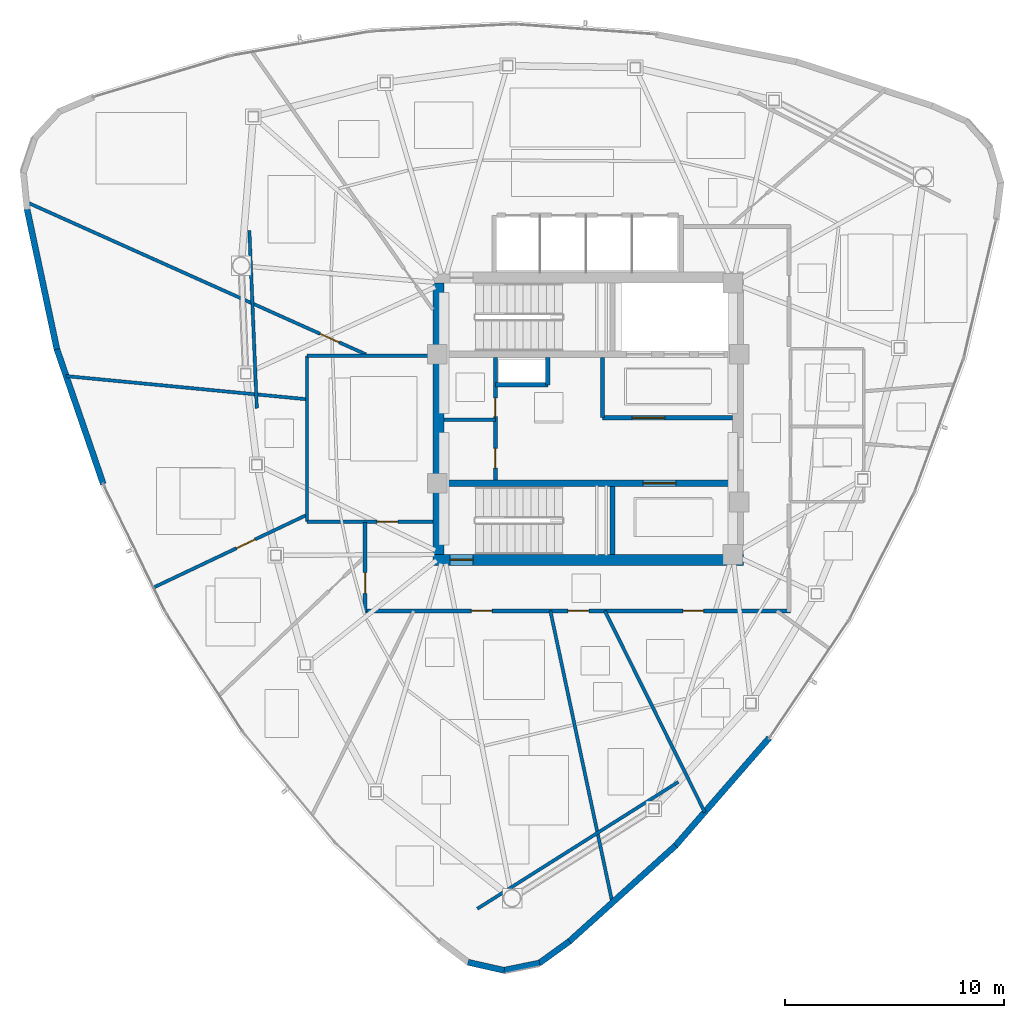
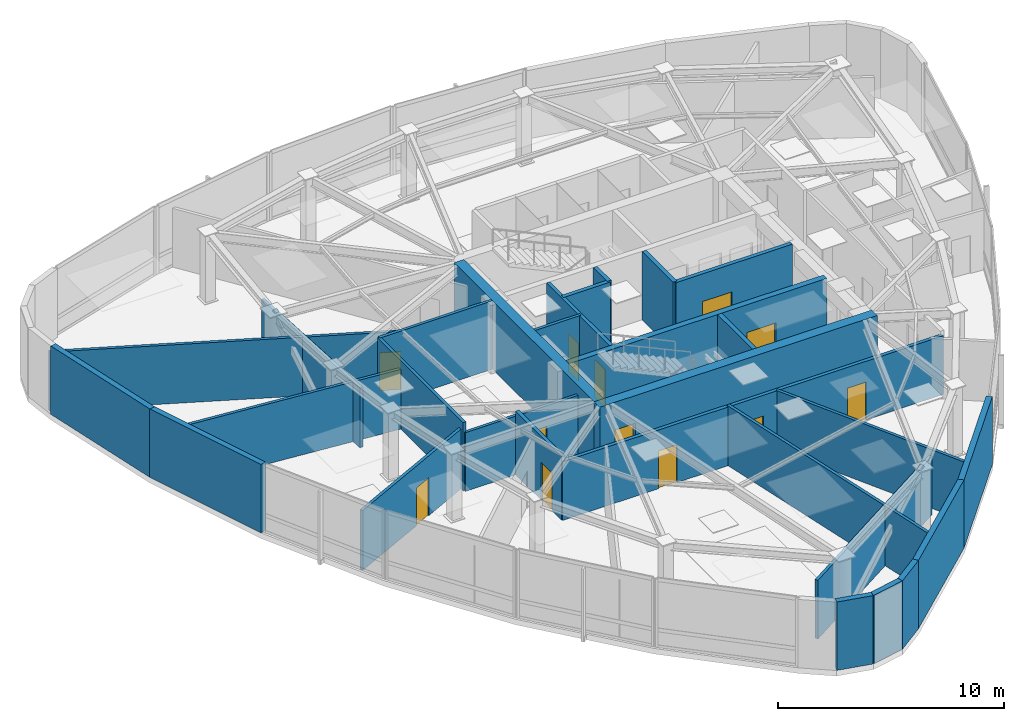
# One storey, part 8 of 12: 29 walls, 12 doors, 12 openings.
"""IFC4 building model written with IfcOpenShell, lengths in metres."""

from ifc_helpers import new_model, si_unit, direction, frame, frame_2d, origin, place, context, subcontext, project, spatial, rectangle, extrude, material, layer, layer_set, type_object, element, fill, save


model = new_model("IFC4")

# Units and contexts
model_context = context("Model", 3, precision=1e-05, world=origin(), true_north=direction((0.0, 1.0)))
body_context = subcontext(model_context, "Body", "Model", "MODEL_VIEW")
ifc_project = project(units=[si_unit("LENGTHUNIT", "METRE"), si_unit("AREAUNIT", "SQUARE_METRE"), si_unit("VOLUMEUNIT", "CUBIC_METRE"), si_unit("PLANEANGLEUNIT", "RADIAN"), si_unit("MASSUNIT", "GRAM", prefix="KILO")], contexts=[model_context])

# Site, building, storey
site_placement = place(None, origin())
site = spatial("IfcSite", under=ifc_project, at=site_placement, CompositionType="ELEMENT")
building_placement = place(site_placement, origin())
building = spatial("IfcBuilding", under=site, at=building_placement, Name="Tavelor Broadcast Tower", CompositionType="ELEMENT")
storey_placement = place(building_placement, frame((0.0, 0.0, 293.5)))
storey = spatial("IfcBuildingStorey", under=building, at=storey_placement, Name="L70", CompositionType="ELEMENT", Elevation=293.5)

# Wall, opening, door
ifc_material_1 = material(Name="Concrete C50/60", Category="concrete")
ifc_layer_1 = layer(ifc_material_1, 0.5)
ifc_layer_set_1 = layer_set([ifc_layer_1], Name="Concrete C50/60")
wall_type_1 = type_object("IfcWallType", Name="Core Shear Wall 500 mm", PredefinedType="SHEAR", material=ifc_layer_set_1)
wall_1_placement = place(storey_placement, frame((42.89990234375, 38.550048828125, 0.0), z_axis=(0.0, 0.0, 1.0), x_axis=(1.0, 0.0, 0.0)))
wall_1 = element("IfcWall", 1, at=wall_1_placement, inside=storey, type_object=wall_type_1, Name="L70 Central Core Shear Wall S", PredefinedType="SHEAR", context=body_context, shape_type="SweptSolid", body=[
    extrude(rectangle(XDim=14.2001953125, YDim=0.5, at=frame_2d((7.10009765625, 0.0))), origin(), (0.0, 0.0, 1.0), 3.699951171875),
])
opening_1_placement = place(wall_1_placement, frame((0.780029296875, 0.0, 0.0)))
opening_1 = element("IfcOpeningElement", 2, at=opening_1_placement, cuts=wall_1, Name="Opening DR11", PredefinedType="OPENING", context=body_context, shape_type="SweptSolid", body=[
    extrude(rectangle(XDim=1.050048828125, YDim=2.199951171875, at=frame_2d((0.52490234375, 1.10009765625))), frame((0.0, 0.260009765625, 0.0), z_axis=(0.0, -1.0, 0.0), x_axis=(1.0, 0.0, 0.0)), (0.0, 0.0, 1.0), 0.52001953125),
])
ifc_material_2 = material(Name="Steel S355", Category="steel")
door_type_1 = type_object("IfcDoorType", Name="Stair Core Fire Escape Door 1050x2200", OperationType="NOTDEFINED", PredefinedType="DOOR", material=ifc_material_2)
door_1_placement = place(opening_1_placement, origin())
door_1 = element("IfcDoor", 3, at=door_1_placement, inside=storey, type_object=door_type_1, Name="L70 Stair ST2 Protected Exit Door", OperationType="SINGLE_SWING_RIGHT", OverallHeight=2.199951171875, OverallWidth=1.050048828125, PredefinedType="DOOR", context=body_context, shape_type="SweptSolid", body=[
    extrude(rectangle(XDim=1.050048828125, YDim=2.199951171875, at=frame_2d((0.52490234375, 1.10009765625))), frame((0.0, 0.02490234375, 0.0), z_axis=(0.0, -1.0, 0.0), x_axis=(1.0, 0.0, 0.0)), (0.0, 0.0, 1.0), 0.050048828125),
])
fill(opening_1, door_1)

# Wall
wall_2_placement = place(storey_placement, frame((43.14990234375, 38.800048828125, 0.0), z_axis=(0.0, 0.0, 1.0), x_axis=(0.0, 1.0, 0.0)))
element("IfcWall", 4, at=wall_2_placement, inside=storey, type_object=wall_type_1, Name="L70 Central Core Shear Wall W", PredefinedType="SHEAR", context=body_context, shape_type="SweptSolid", body=[
    extrude(rectangle(XDim=12.39990234375, YDim=0.5, at=frame_2d((6.199951171875, 0.0))), origin(), (0.0, 0.0, 1.0), 3.699951171875),
])

# Wall, opening, door
ifc_layer_2 = layer(ifc_material_1, 0.300048828125)
ifc_layer_set_2 = layer_set([ifc_layer_2], Name="Concrete C50/60")
wall_type_2 = type_object("IfcWallType", Name="Core Spine Shear Wall 300 mm C50", PredefinedType="SHEAR", material=ifc_layer_set_2)
wall_3_placement = place(storey_placement, frame((43.39990234375, 42.050048828125, 0.0), z_axis=(0.0, 0.0, 1.0), x_axis=(1.0, 0.0, 0.0)))
wall_3 = element("IfcWall", 5, at=wall_3_placement, inside=storey, type_object=wall_type_2, Name="L70 Central Core Shear Wall SP2", PredefinedType="SHEAR", context=body_context, shape_type="SweptSolid", body=[
    extrude(rectangle(XDim=13.2001953125, YDim=0.300048828125, at=frame_2d((6.60009765625, 0.0))), origin(), (0.0, 0.0, 1.0), 3.699951171875),
])
opening_2_placement = place(wall_3_placement, frame((9.10009765625, 0.0, 0.0)))
opening_2 = element("IfcOpeningElement", 6, at=opening_2_placement, cuts=wall_3, Name="Opening DR14", PredefinedType="OPENING", context=body_context, shape_type="SweptSolid", body=[
    extrude(rectangle(XDim=1.5, YDim=2.199951171875, at=frame_2d((0.75, 1.10009765625))), frame((0.0, 0.16015625, 0.0), z_axis=(0.0, -1.0, 0.0), x_axis=(1.0, 0.0, 0.0)), (0.0, 0.0, 1.0), 0.320068359375),
])
door_type_2 = type_object("IfcDoorType", Name="Firefighting Lobby Double Fire Door 1500x2200", OperationType="NOTDEFINED", PredefinedType="DOOR", material=ifc_material_2)
door_2_placement = place(opening_2_placement, origin())
door_2 = element("IfcDoor", 7, at=door_2_placement, inside=storey, type_object=door_type_2, Name="L70 Reclaimed South Core Vestibule Door", OperationType="SINGLE_SWING_RIGHT", OverallHeight=2.199951171875, OverallWidth=1.5, PredefinedType="DOOR", context=body_context, shape_type="SweptSolid", body=[
    extrude(rectangle(XDim=1.5, YDim=2.199951171875, at=frame_2d((0.75, 1.10009765625))), frame((0.0, 0.02490234375, 0.0), z_axis=(0.0, -1.0, 0.0), x_axis=(1.0, 0.0, 0.0)), (0.0, 0.0, 1.0), 0.050048828125),
])
fill(opening_2, door_2)

# Wall, openings, doors
ifc_material_3 = material(Name="Calcium Silicate Fire Board 180 mm", Category="gypsum")
ifc_layer_3 = layer(ifc_material_3, 0.179931640625)
ifc_layer_set_3 = layer_set([ifc_layer_3], Name="Calcium Silicate Fire Board 180 mm")
wall_type_3 = type_object("IfcWallType", Name="Fire-Rated Corridor Partition Wall 180 mm", PredefinedType="PARTITIONING", material=ifc_layer_set_3)
wall_4_placement = place(storey_placement, frame((45.75, 42.199951171875, 0.0), z_axis=(0.0, 0.0, 1.0), x_axis=(0.0, 1.0, 0.0)))
wall_4 = element("IfcWall", 8, at=wall_4_placement, inside=storey, type_object=wall_type_3, Name="L70 Core West Service East Wall", PredefinedType="PARTITIONING", context=body_context, shape_type="SweptSolid", body=[
    extrude(rectangle(XDim=5.60009765625, YDim=0.179931640625, at=frame_2d((2.800048828125, 0.0))), origin(), (0.0, 0.0, 1.0), 3.699951171875),
])
opening_3_placement = place(wall_4_placement, frame((0.550048828125, 0.0, 0.0)))
opening_3 = element("IfcOpeningElement", 9, at=opening_3_placement, cuts=wall_4, Name="Opening DR32", PredefinedType="OPENING", context=body_context, shape_type="SweptSolid", body=[
    extrude(rectangle(XDim=0.89990234375, YDim=2.050048828125, at=frame_2d((0.449951171875, 1.02490234375))), frame((0.0, 0.10009765625, 0.0), z_axis=(0.0, -1.0, 0.0), x_axis=(1.0, 0.0, 0.0)), (0.0, 0.0, 1.0), 0.199951171875),
])
opening_4_placement = place(wall_4_placement, frame((2.89990234375, 0.0, 0.0)))
opening_4 = element("IfcOpeningElement", 10, at=opening_4_placement, cuts=wall_4, Name="Opening DR36", PredefinedType="OPENING", context=body_context, shape_type="SweptSolid", body=[
    extrude(rectangle(XDim=0.85009765625, YDim=2.050048828125, at=frame_2d((0.425048828125, 1.02490234375))), frame((0.0, 0.10009765625, 0.0), z_axis=(0.0, -1.0, 0.0), x_axis=(1.0, 0.0, 0.0)), (0.0, 0.0, 1.0), 0.199951171875),
])
ifc_material_4 = material(Name="Timber Solid Core Hardwood", Category="wood")
door_type_3 = type_object("IfcDoorType", Name="Accessible Washroom Door 900x2050", OperationType="NOTDEFINED", PredefinedType="DOOR", material=ifc_material_4)
door_3_placement = place(opening_3_placement, origin())
door_3 = element("IfcDoor", 11, at=door_3_placement, inside=storey, type_object=door_type_3, Name="L70 Core Accessible WC Door", OperationType="SINGLE_SWING_LEFT", OverallHeight=2.050048828125, OverallWidth=0.89990234375, PredefinedType="DOOR", context=body_context, shape_type="SweptSolid", body=[
    extrude(rectangle(XDim=0.89990234375, YDim=2.050048828125, at=frame_2d((0.449951171875, 1.02490234375))), frame((0.0, 0.02490234375, 0.0), z_axis=(0.0, -1.0, 0.0), x_axis=(1.0, 0.0, 0.0)), (0.0, 0.0, 1.0), 0.050048828125),
])
fill(opening_3, door_3)
door_type_4 = type_object("IfcDoorType", Name="Service Room Fire Door 850x2050", OperationType="NOTDEFINED", PredefinedType="DOOR", material=ifc_material_2)
door_4_placement = place(opening_4_placement, origin())
door_4 = element("IfcDoor", 12, at=door_4_placement, inside=storey, type_object=door_type_4, Name="L70 Core Cleaner Store Door", OperationType="SINGLE_SWING_RIGHT", OverallHeight=2.050048828125, OverallWidth=0.85009765625, PredefinedType="DOOR", context=body_context, shape_type="SweptSolid", body=[
    extrude(rectangle(XDim=0.85009765625, YDim=2.050048828125, at=frame_2d((0.425048828125, 1.02490234375))), frame((0.0, 0.02490234375, 0.0), z_axis=(0.0, -1.0, 0.0), x_axis=(1.0, 0.0, 0.0)), (0.0, 0.0, 1.0), 0.050048828125),
])
fill(opening_4, door_4)

wall_5_placement = place(storey_placement, frame((59.22998046875, 36.219970703125, 0.0), z_axis=(0.0, 0.0, 1.0), x_axis=(-1.0, 0.0, 0.0)))
wall_5 = element("IfcWall", 13, at=wall_5_placement, inside=storey, type_object=wall_type_3, Name="L70 Corridor Compartment Wall 04", PredefinedType="PARTITIONING", context=body_context, shape_type="SweptSolid", body=[
    extrude(rectangle(XDim=19.47998046875, YDim=0.179931640625, at=frame_2d((9.739990234375, 0.0))), origin(), (0.0, 0.0, 1.0), 3.175048828125),
])
opening_5_placement = place(wall_5_placement, frame((3.954833984375, 0.0, 0.0)))
opening_5 = element("IfcOpeningElement", 14, at=opening_5_placement, cuts=wall_5, Name="Opening DR18", PredefinedType="OPENING", context=body_context, shape_type="SweptSolid", body=[
    extrude(rectangle(XDim=0.949951171875, YDim=2.050048828125, at=frame_2d((0.47509765625, 1.02490234375))), frame((0.0, 0.10009765625, 0.0), z_axis=(0.0, -1.0, 0.0), x_axis=(1.0, 0.0, 0.0)), (0.0, 0.0, 1.0), 0.199951171875),
])
opening_6_placement = place(wall_5_placement, frame((9.210205078125, 0.0, 0.0)))
opening_6 = element("IfcOpeningElement", 15, at=opening_6_placement, cuts=wall_5, Name="Opening DR18", PredefinedType="OPENING", context=body_context, shape_type="SweptSolid", body=[
    extrude(rectangle(XDim=0.949951171875, YDim=2.050048828125, at=frame_2d((0.47509765625, 1.02490234375))), frame((0.0, 0.10009765625, 0.0), z_axis=(0.0, -1.0, 0.0), x_axis=(1.0, 0.0, 0.0)), (0.0, 0.0, 1.0), 0.199951171875),
])
opening_7_placement = place(wall_5_placement, frame((13.622314453125, 0.0, 0.0)))
opening_7 = element("IfcOpeningElement", 16, at=opening_7_placement, cuts=wall_5, Name="Opening DR18", PredefinedType="OPENING", context=body_context, shape_type="SweptSolid", body=[
    extrude(rectangle(XDim=0.949951171875, YDim=2.050048828125, at=frame_2d((0.47509765625, 1.02490234375))), frame((0.0, 0.10009765625, 0.0), z_axis=(0.0, -1.0, 0.0), x_axis=(1.0, 0.0, 0.0)), (0.0, 0.0, 1.0), 0.199951171875),
])
door_type_5 = type_object("IfcDoorType", Name="Corridor Rated Compartment Door 950x2050", OperationType="NOTDEFINED", PredefinedType="DOOR", material=ifc_material_4)
door_5_placement = place(opening_5_placement, origin())
door_5 = element("IfcDoor", 17, at=door_5_placement, inside=storey, type_object=door_type_5, Name="L70 Investigative News Desk Door R1", OperationType="SINGLE_SWING_RIGHT", OverallHeight=2.050048828125, OverallWidth=0.949951171875, PredefinedType="DOOR", context=body_context, shape_type="SweptSolid", body=[
    extrude(rectangle(XDim=0.949951171875, YDim=2.050048828125, at=frame_2d((0.47509765625, 1.02490234375))), frame((0.0, 0.02490234375, 0.0), z_axis=(0.0, -1.0, 0.0), x_axis=(1.0, 0.0, 0.0)), (0.0, 0.0, 1.0), 0.050048828125),
])
fill(opening_5, door_5)
door_6_placement = place(opening_6_placement, origin())
door_6 = element("IfcDoor", 18, at=door_6_placement, inside=storey, type_object=door_type_5, Name="L70 Syndication Legal Office Door R2", OperationType="SINGLE_SWING_LEFT", OverallHeight=2.050048828125, OverallWidth=0.949951171875, PredefinedType="DOOR", context=body_context, shape_type="SweptSolid", body=[
    extrude(rectangle(XDim=0.949951171875, YDim=2.050048828125, at=frame_2d((0.47509765625, 1.02490234375))), frame((0.0, 0.02490234375, 0.0), z_axis=(0.0, -1.0, 0.0), x_axis=(1.0, 0.0, 0.0)), (0.0, 0.0, 1.0), 0.050048828125),
])
fill(opening_6, door_6)
door_7_placement = place(opening_7_placement, origin())
door_7 = element("IfcDoor", 19, at=door_7_placement, inside=storey, type_object=door_type_5, Name="L70 International Bureau Office Door R3", OperationType="SINGLE_SWING_RIGHT", OverallHeight=2.050048828125, OverallWidth=0.949951171875, PredefinedType="DOOR", context=body_context, shape_type="SweptSolid", body=[
    extrude(rectangle(XDim=0.949951171875, YDim=2.050048828125, at=frame_2d((0.47509765625, 1.02490234375))), frame((0.0, 0.02490234375, 0.0), z_axis=(0.0, -1.0, 0.0), x_axis=(1.0, 0.0, 0.0)), (0.0, 0.0, 1.0), 0.050048828125),
])
fill(opening_7, door_7)

# Wall, opening, door
wall_6_placement = place(storey_placement, frame((39.800048828125, 36.169921875, 0.0), z_axis=(0.0, 0.0, 1.0), x_axis=(0.0, 1.0, 0.0)))
wall_6 = element("IfcWall", 20, at=wall_6_placement, inside=storey, type_object=wall_type_3, Name="L70 Corridor Compartment Wall 05", PredefinedType="PARTITIONING", context=body_context, shape_type="SweptSolid", body=[
    extrude(rectangle(XDim=4.080078125, YDim=0.179931640625, at=frame_2d((2.0400390625, 0.0))), origin(), (0.0, 0.0, 1.0), 3.43505859375),
])
opening_8_placement = place(wall_6_placement, frame((0.845458984375, 0.0, 0.0)))
opening_8 = element("IfcOpeningElement", 21, at=opening_8_placement, cuts=wall_6, Name="Opening DR18", PredefinedType="OPENING", context=body_context, shape_type="SweptSolid", body=[
    extrude(rectangle(XDim=0.949951171875, YDim=2.050048828125, at=frame_2d((0.47509765625, 1.02490234375))), frame((0.0, 0.10009765625, 0.0), z_axis=(0.0, -1.0, 0.0), x_axis=(1.0, 0.0, 0.0)), (0.0, 0.0, 1.0), 0.199951171875),
])
door_8_placement = place(opening_8_placement, origin())
door_8 = element("IfcDoor", 22, at=door_8_placement, inside=storey, type_object=door_type_5, Name="L70 Documentary Planning Office Door R4", OperationType="SINGLE_SWING_LEFT", OverallHeight=2.050048828125, OverallWidth=0.949951171875, PredefinedType="DOOR", context=body_context, shape_type="SweptSolid", body=[
    extrude(rectangle(XDim=0.949951171875, YDim=2.050048828125, at=frame_2d((0.47509765625, 1.02490234375))), frame((0.0, 0.02490234375, 0.0), z_axis=(0.0, -1.0, 0.0), x_axis=(1.0, 0.0, 0.0)), (0.0, 0.0, 1.0), 0.050048828125),
])
fill(opening_8, door_8)

# Walls
ifc_material_5 = material(Name="Precast Concrete C40/50", Category="concrete")
ifc_layer_4 = layer(ifc_material_5, 0.280029296875)
ifc_layer_set_4 = layer_set([ifc_layer_4], Name="Precast Concrete C40/50")
wall_type_4 = type_object("IfcWallType", Name="Insulated Precast Terracotta Facade Wall 280 mm", PredefinedType="STANDARD", material=ifc_layer_set_4)
wall_7_placement = place(storey_placement, frame((24.343505859375, 54.59912109375, 0.0), z_axis=(0.0, 0.0, 1.0), x_axis=(0.208314389748, -0.978061917786, 0.0)))
element("IfcWall", 23, at=wall_7_placement, inside=storey, type_object=wall_type_4, Name="L70 Rounded Corner Structural Cladding Pier 05", PredefinedType="STANDARD", context=body_context, shape_type="SweptSolid", body=[
    extrude(rectangle(XDim=6.56201171875, YDim=0.280029296875, at=frame_2d((3.281005859375, 0.0))), origin(), (0.0, 0.0, 1.0), 3.699951171875),
])
wall_8_placement = place(storey_placement, frame((25.702392578125, 48.2099609375, 0.0), z_axis=(0.0, 0.0, 1.0), x_axis=(0.325137061735, -0.945666902818, 0.0)))
element("IfcWall", 24, at=wall_8_placement, inside=storey, type_object=wall_type_4, Name="L70 Rounded Corner Structural Cladding Pier 06", PredefinedType="STANDARD", context=body_context, shape_type="SweptSolid", body=[
    extrude(rectangle(XDim=6.550048828125, YDim=0.280029296875, at=frame_2d((3.27490234375, 0.0))), origin(), (0.0, 0.0, 1.0), 3.699951171875),
])
wall_9_placement = place(storey_placement, frame((44.502197265625, 20.16064453125, 0.0), z_axis=(0.0, 0.0, 1.0), x_axis=(0.975336773561, -0.220721947571, 0.0)))
element("IfcWall", 25, at=wall_9_placement, inside=storey, type_object=wall_type_4, Name="L70 Rounded Corner Structural Cladding Pier 12", PredefinedType="STANDARD", context=body_context, shape_type="SweptSolid", body=[
    extrude(rectangle(XDim=1.690185546875, YDim=0.280029296875, at=frame_2d((0.84521484375, 0.0))), origin(), (0.0, 0.0, 1.0), 3.699951171875),
])
wall_10_placement = place(storey_placement, frame((46.121337890625, 19.7880859375, 0.0), z_axis=(0.0, 0.0, 1.0), x_axis=(0.979778056763, 0.200087379625, 0.0)))
element("IfcWall", 26, at=wall_10_placement, inside=storey, type_object=wall_type_4, Name="L70 Rounded Corner Structural Cladding Pier 13", PredefinedType="STANDARD", context=body_context, shape_type="SweptSolid", body=[
    extrude(rectangle(XDim=1.68994140625, YDim=0.280029296875, at=frame_2d((0.844970703125, 0.0))), origin(), (0.0, 0.0, 1.0), 3.699951171875),
])
wall_11_placement = place(storey_placement, frame((47.750244140625, 20.114501953125, 0.0), z_axis=(0.0, 0.0, 1.0), x_axis=(0.81051380856, 0.585719528557, 0.0)))
element("IfcWall", 27, at=wall_11_placement, inside=storey, type_object=wall_type_4, Name="L70 Rounded Corner Structural Cladding Pier 14", PredefinedType="STANDARD", context=body_context, shape_type="SweptSolid", body=[
    extrude(rectangle(XDim=1.712646484375, YDim=0.280029296875, at=frame_2d((0.8564453125, 0.0))), origin(), (0.0, 0.0, 1.0), 3.699951171875),
])
wall_12_placement = place(storey_placement, frame((49.115234375, 21.098876953125, 0.0), z_axis=(0.0, 0.0, 1.0), x_axis=(0.742874055033, 0.669431205098, 0.0)))
element("IfcWall", 28, at=wall_12_placement, inside=storey, type_object=wall_type_4, Name="L70 Rounded Corner Structural Cladding Pier 15", PredefinedType="STANDARD", context=body_context, shape_type="SweptSolid", body=[
    extrude(rectangle(XDim=6.56201171875, YDim=0.280029296875, at=frame_2d((3.281005859375, 0.0))), origin(), (0.0, 0.0, 1.0), 3.699951171875),
])
wall_13_placement = place(storey_placement, frame((53.968994140625, 25.47021484375, 0.0), z_axis=(0.0, 0.0, 1.0), x_axis=(0.656372479299, 0.754436987706, 0.0)))
element("IfcWall", 29, at=wall_13_placement, inside=storey, type_object=wall_type_4, Name="L70 Rounded Corner Structural Cladding Pier 16", PredefinedType="STANDARD", context=body_context, shape_type="SweptSolid", body=[
    extrude(rectangle(XDim=6.550048828125, YDim=0.280029296875, at=frame_2d((3.27490234375, 0.0))), origin(), (0.0, 0.0, 1.0), 3.699951171875),
])
ifc_material_6 = material(Name="Gypsum Acoustic Plasterboard 150 mm", Category="gypsum")
ifc_layer_5 = layer(ifc_material_6, 0.14990234375)
ifc_layer_set_5 = layer_set([ifc_layer_5], Name="Gypsum Acoustic Plasterboard 150 mm")
wall_type_5 = type_object("IfcWallType", Name="Interior Acoustic Partition Wall 150 mm", PredefinedType="PARTITIONING", material=ifc_layer_set_5)
wall_14_placement = place(storey_placement, frame((43.39990234375, 44.949951171875, 0.0), z_axis=(0.0, 0.0, 1.0), x_axis=(1.0, 0.0, 0.0)))
element("IfcWall", 30, at=wall_14_placement, inside=storey, type_object=wall_type_5, Name="L70 Core Split Wall A", PredefinedType="PARTITIONING", context=body_context, shape_type="SweptSolid", body=[
    extrude(rectangle(XDim=2.35009765625, YDim=0.14990234375, at=frame_2d((1.175048828125, 0.0))), origin(), (0.0, 0.0, 1.0), 3.699951171875),
])
wall_15_placement = place(storey_placement, frame((34.50732421875, 53.61279296875, 0.0), z_axis=(0.0, 0.0, 1.0), x_axis=(0.041875090182, -0.999122853718, 0.0)))
element("IfcWall", 31, at=wall_15_placement, inside=storey, type_object=wall_type_5, Name="L70 Corner Tube Brace Furring Wall 1", PredefinedType="PARTITIONING", context=body_context, shape_type="SweptSolid", body=[
    extrude(rectangle(XDim=8.138916015625, YDim=0.14990234375, at=frame_2d((4.0693359375, 0.0))), origin(), (0.0, 0.0, 1.0), 3.235107421875),
])
wall_16_placement = place(storey_placement, frame((44.9267578125, 22.60546875, 0.0), z_axis=(0.0, 0.0, 1.0), x_axis=(0.845624548895, 0.533778158326, 0.0)))
element("IfcWall", 32, at=wall_16_placement, inside=storey, type_object=wall_type_5, Name="L70 Corner Tube Brace Furring Wall 2", PredefinedType="PARTITIONING", context=body_context, shape_type="SweptSolid", body=[
    extrude(rectangle(XDim=10.861083984375, YDim=0.14990234375, at=frame_2d((5.4306640625, 0.0))), origin(), (0.0, 0.0, 1.0), 3.175048828125),
])

# Wall, opening, door
wall_17_placement = place(storey_placement, frame((37.139892578125, 40.300048828125, 0.0), z_axis=(0.0, 0.0, 1.0), x_axis=(1.0, 0.0, 0.0)))
wall_17 = element("IfcWall", 33, at=wall_17_placement, inside=storey, type_object=wall_type_5, Name="L70 Reclaimed Shaft Pantry South Wall", PredefinedType="PARTITIONING", context=body_context, shape_type="SweptSolid", body=[
    extrude(rectangle(XDim=5.760009765625, YDim=0.14990234375, at=frame_2d((2.8798828125, 0.0))), origin(), (0.0, 0.0, 1.0), 3.175048828125),
])
opening_9_placement = place(wall_17_placement, frame((3.2099609375, 0.0, 0.0)))
opening_9 = element("IfcOpeningElement", 34, at=opening_9_placement, cuts=wall_17, Name="Opening DR18", PredefinedType="OPENING", context=body_context, shape_type="SweptSolid", body=[
    extrude(rectangle(XDim=0.949951171875, YDim=2.050048828125, at=frame_2d((0.47509765625, 1.02490234375))), frame((0.0, 0.0849609375, 0.0), z_axis=(0.0, -1.0, 0.0), x_axis=(1.0, 0.0, 0.0)), (0.0, 0.0, 1.0), 0.169921875),
])
door_9_placement = place(opening_9_placement, origin())
door_9 = element("IfcDoor", 35, at=door_9_placement, inside=storey, type_object=door_type_5, Name="L70 Broadcast IT Patch and Pantry Door", OperationType="SINGLE_SWING_LEFT", OverallHeight=2.050048828125, OverallWidth=0.949951171875, PredefinedType="DOOR", context=body_context, shape_type="SweptSolid", body=[
    extrude(rectangle(XDim=0.949951171875, YDim=2.050048828125, at=frame_2d((0.47509765625, 1.02490234375))), frame((0.0, 0.02490234375, 0.0), z_axis=(0.0, -1.0, 0.0), x_axis=(1.0, 0.0, 0.0)), (0.0, 0.0, 1.0), 0.050048828125),
])
fill(opening_9, door_9)

# Walls
wall_18_placement = place(storey_placement, frame((37.139892578125, 40.300048828125, 0.0), z_axis=(0.0, 0.0, 1.0), x_axis=(0.0, 1.0, 0.0)))
element("IfcWall", 36, at=wall_18_placement, inside=storey, type_object=wall_type_5, Name="L70 Reclaimed Shaft Pantry West Wall", PredefinedType="PARTITIONING", context=body_context, shape_type="SweptSolid", body=[
    extrude(rectangle(XDim=7.579833984375, YDim=0.14990234375, at=frame_2d((3.7900390625, 0.0))), origin(), (0.0, 0.0, 1.0), 3.699951171875),
])
wall_19_placement = place(storey_placement, frame((37.139892578125, 47.8798828125, 0.0), z_axis=(0.0, 0.0, 1.0), x_axis=(1.0, 0.0, 0.0)))
element("IfcWall", 37, at=wall_19_placement, inside=storey, type_object=wall_type_5, Name="L70 Reclaimed Shaft Pantry North Wall", PredefinedType="PARTITIONING", context=body_context, shape_type="SweptSolid", body=[
    extrude(rectangle(XDim=5.760009765625, YDim=0.14990234375, at=frame_2d((2.8798828125, 0.0))), origin(), (0.0, 0.0, 1.0), 3.699951171875),
])
wall_20_placement = place(storey_placement, frame((37.080078125, 45.8974609375, 0.0), z_axis=(0.0, 0.0, 1.0), x_axis=(-0.995396137077, 0.095846389043, 0.0)))
element("IfcWall", 38, at=wall_20_placement, inside=storey, type_object=wall_type_5, Name="L70 Radial Compartment Wall 01", PredefinedType="PARTITIONING", context=body_context, shape_type="SweptSolid", body=[
    extrude(rectangle(XDim=11.006591796875, YDim=0.14990234375, at=frame_2d((5.50341796875, 0.0))), origin(), (0.0, 0.0, 1.0), 3.235107421875),
])

# Wall, opening, door
wall_21_placement = place(storey_placement, frame((37.080078125, 40.58251953125, 0.0), z_axis=(0.0, 0.0, 1.0), x_axis=(-0.903626772843, -0.428320738934, 0.0)))
wall_21 = element("IfcWall", 39, at=wall_21_placement, inside=storey, type_object=wall_type_5, Name="L70 Radial Compartment Wall 02", PredefinedType="PARTITIONING", context=body_context, shape_type="SweptSolid", body=[
    extrude(rectangle(XDim=7.70068359375, YDim=0.14990234375, at=frame_2d((3.850341796875, 0.0))), origin(), (0.0, 0.0, 1.0), 3.235107421875),
])
opening_10_placement = place(wall_21_placement, frame((2.550048828125, 0.0, 0.0)))
opening_10 = element("IfcOpeningElement", 40, at=opening_10_placement, cuts=wall_21, Name="Opening DR18", PredefinedType="OPENING", context=body_context, shape_type="SweptSolid", body=[
    extrude(rectangle(XDim=0.949951171875, YDim=2.050048828125, at=frame_2d((0.47509765625, 1.02490234375))), frame((0.0, 0.0849609375, 0.0), z_axis=(0.0, -1.0, 0.0), x_axis=(1.0, 0.0, 0.0)), (0.0, 0.0, 1.0), 0.169921875),
])
door_10_placement = place(opening_10_placement, origin())
door_10 = element("IfcDoor", 41, at=door_10_placement, inside=storey, type_object=door_type_5, Name="L70 Suite Connecting Door 6", OperationType="SINGLE_SWING_RIGHT", OverallHeight=2.050048828125, OverallWidth=0.949951171875, PredefinedType="DOOR", context=body_context, shape_type="SweptSolid", body=[
    extrude(rectangle(XDim=0.949951171875, YDim=2.050048828125, at=frame_2d((0.47509765625, 1.02490234375))), frame((0.0, 0.02490234375, 0.0), z_axis=(0.0, -1.0, 0.0), x_axis=(1.0, 0.0, 0.0)), (0.0, 0.0, 1.0), 0.050048828125),
])
fill(opening_10, door_10)

# Walls
wall_22_placement = place(storey_placement, frame((48.26513671875, 36.219970703125, 0.0), z_axis=(0.0, 0.0, 1.0), x_axis=(0.207805680092, -0.978170128005, 0.0)))
element("IfcWall", 42, at=wall_22_placement, inside=storey, type_object=wall_type_5, Name="L70 Radial Compartment Wall 05", PredefinedType="PARTITIONING", context=body_context, shape_type="SweptSolid", body=[
    extrude(rectangle(XDim=13.6435546875, YDim=0.14990234375, at=frame_2d((6.82177734375, 0.0))), origin(), (0.0, 0.0, 1.0), 3.235107421875),
])
wall_23_placement = place(storey_placement, frame((50.756591796875, 36.219970703125, 0.0), z_axis=(0.0, 0.0, 1.0), x_axis=(0.444494017697, -0.895781819547, 0.0)))
element("IfcWall", 43, at=wall_23_placement, inside=storey, type_object=wall_type_5, Name="L70 Radial Compartment Wall 06", PredefinedType="PARTITIONING", context=body_context, shape_type="SweptSolid", body=[
    extrude(rectangle(XDim=10.277587890625, YDim=0.14990234375, at=frame_2d((5.138671875, 0.0))), origin(), (0.0, 0.0, 1.0), 3.175048828125),
])

# Wall, opening, door
wall_24_placement = place(storey_placement, frame((39.84619140625, 47.93994140625, 0.0), z_axis=(0.0, 0.0, 1.0), x_axis=(-0.912401937762, 0.409295374965, 0.0)))
wall_24 = element("IfcWall", 44, at=wall_24_placement, inside=storey, type_object=wall_type_5, Name="L70 Radial Compartment Wall 12", PredefinedType="PARTITIONING", context=body_context, shape_type="SweptSolid", body=[
    extrude(rectangle(XDim=17.03564453125, YDim=0.14990234375, at=frame_2d((8.517822265625, 0.0))), origin(), (0.0, 0.0, 1.0), 3.175048828125),
])
opening_11_placement = place(wall_24_placement, frame((1.35009765625, 0.0, 0.0)))
opening_11 = element("IfcOpeningElement", 45, at=opening_11_placement, cuts=wall_24, Name="Opening DR18", PredefinedType="OPENING", context=body_context, shape_type="SweptSolid", body=[
    extrude(rectangle(XDim=0.949951171875, YDim=2.050048828125, at=frame_2d((0.47509765625, 1.02490234375))), frame((0.0, 0.0849609375, 0.0), z_axis=(0.0, -1.0, 0.0), x_axis=(1.0, 0.0, 0.0)), (0.0, 0.0, 1.0), 0.169921875),
])
door_11_placement = place(opening_11_placement, origin())
door_11 = element("IfcDoor", 46, at=door_11_placement, inside=storey, type_object=door_type_5, Name="L70 Suite Connecting Door 7", OperationType="SINGLE_SWING_LEFT", OverallHeight=2.050048828125, OverallWidth=0.949951171875, PredefinedType="DOOR", context=body_context, shape_type="SweptSolid", body=[
    extrude(rectangle(XDim=0.949951171875, YDim=2.050048828125, at=frame_2d((0.47509765625, 1.02490234375))), frame((0.0, 0.02490234375, 0.0), z_axis=(0.0, -1.0, 0.0), x_axis=(1.0, 0.0, 0.0)), (0.0, 0.0, 1.0), 0.050048828125),
])
fill(opening_11, door_11)

# Walls
ifc_material_7 = material(Name="Concrete Blockwork 200 mm", Category="masonry")
ifc_layer_6 = layer(ifc_material_7, 0.199951171875)
ifc_layer_set_6 = layer_set([ifc_layer_6], Name="Concrete Blockwork 200 mm")
wall_type_6 = type_object("IfcWallType", Name="Lift and Riser Shaft Enclosure Wall 200 mm", PredefinedType="PARTITIONING", material=ifc_layer_set_6)
wall_25_placement = place(storey_placement, frame((45.75, 46.550048828125, 0.0), z_axis=(0.0, 0.0, 1.0), x_axis=(1.0, 0.0, 0.0)))
element("IfcWall", 47, at=wall_25_placement, inside=storey, type_object=wall_type_6, Name="L70 Riser Shaft South Wall", PredefinedType="PARTITIONING", context=body_context, shape_type="SweptSolid", body=[
    extrude(rectangle(XDim=2.39990234375, YDim=0.199951171875, at=frame_2d((1.199951171875, 0.0))), origin(), (0.0, 0.0, 1.0), 3.699951171875),
])
wall_26_placement = place(storey_placement, frame((48.14990234375, 46.550048828125, 0.0), z_axis=(0.0, 0.0, 1.0), x_axis=(0.0, 1.0, 0.0)))
element("IfcWall", 48, at=wall_26_placement, inside=storey, type_object=wall_type_6, Name="L70 Riser Shaft East Wall", PredefinedType="PARTITIONING", context=body_context, shape_type="SweptSolid", body=[
    extrude(rectangle(XDim=1.25, YDim=0.199951171875, at=frame_2d((0.625, 0.0))), origin(), (0.0, 0.0, 1.0), 3.699951171875),
])

# Wall, opening, door
wall_27_placement = place(storey_placement, frame((50.64990234375, 45.050048828125, 0.0), z_axis=(0.0, 0.0, 1.0), x_axis=(1.0, 0.0, 0.0)))
wall_27 = element("IfcWall", 49, at=wall_27_placement, inside=storey, type_object=wall_type_6, Name="L70 Firefighting Lobby South Wall", PredefinedType="PARTITIONING", context=body_context, shape_type="SweptSolid", body=[
    extrude(rectangle(XDim=5.9501953125, YDim=0.199951171875, at=frame_2d((2.97509765625, 0.0))), origin(), (0.0, 0.0, 1.0), 3.699951171875),
])
opening_12_placement = place(wall_27_placement, frame((1.35009765625, 0.0, 0.0)))
opening_12 = element("IfcOpeningElement", 50, at=opening_12_placement, cuts=wall_27, Name="Opening DR14", PredefinedType="OPENING", context=body_context, shape_type="SweptSolid", body=[
    extrude(rectangle(XDim=1.5, YDim=2.199951171875, at=frame_2d((0.75, 1.10009765625))), frame((0.0, 0.10986328125, 0.0), z_axis=(0.0, -1.0, 0.0), x_axis=(1.0, 0.0, 0.0)), (0.0, 0.0, 1.0), 0.219970703125),
])
door_12_placement = place(opening_12_placement, origin())
door_12 = element("IfcDoor", 51, at=door_12_placement, inside=storey, type_object=door_type_2, Name="L70 Firefighting Lobby Compartment Door", OperationType="SINGLE_SWING_LEFT", OverallHeight=2.199951171875, OverallWidth=1.5, PredefinedType="DOOR", context=body_context, shape_type="SweptSolid", body=[
    extrude(rectangle(XDim=1.5, YDim=2.199951171875, at=frame_2d((0.75, 1.10009765625))), frame((0.0, 0.02490234375, 0.0), z_axis=(0.0, -1.0, 0.0), x_axis=(1.0, 0.0, 0.0)), (0.0, 0.0, 1.0), 0.050048828125),
])
fill(opening_12, door_12)

# Walls
wall_28_placement = place(storey_placement, frame((50.64990234375, 45.050048828125, 0.0), z_axis=(0.0, 0.0, 1.0), x_axis=(0.0, 1.0, 0.0)))
element("IfcWall", 52, at=wall_28_placement, inside=storey, type_object=wall_type_6, Name="L70 Firefighting Lobby West Wall", PredefinedType="PARTITIONING", context=body_context, shape_type="SweptSolid", body=[
    extrude(rectangle(XDim=2.75, YDim=0.199951171875, at=frame_2d((1.375, 0.0))), origin(), (0.0, 0.0, 1.0), 3.699951171875),
])
ifc_material_8 = material(Name="Concrete C40/50", Category="concrete")
ifc_layer_7 = layer(ifc_material_8, 0.219970703125)
ifc_layer_set_7 = layer_set([ifc_layer_7], Name="Concrete C40/50")
wall_type_7 = type_object("IfcWallType", Name="Structural Stairwell Shear Wall 220 mm", PredefinedType="SHEAR", material=ifc_layer_set_7)
wall_29_placement = place(storey_placement, frame((51.110107421875, 38.800048828125, 0.0), z_axis=(0.0, 0.0, 1.0), x_axis=(0.0, 1.0, 0.0)))
element("IfcWall", 53, at=wall_29_placement, inside=storey, type_object=wall_type_7, Name="L70 Stair ST2 Structural Shaft Wall", PredefinedType="SHEAR", context=body_context, shape_type="SweptSolid", body=[
    extrude(rectangle(XDim=3.099853515625, YDim=0.219970703125, at=frame_2d((1.5498046875, 0.0))), origin(), (0.0, 0.0, 1.0), 3.699951171875),
])

save(model, "model.ifc")
